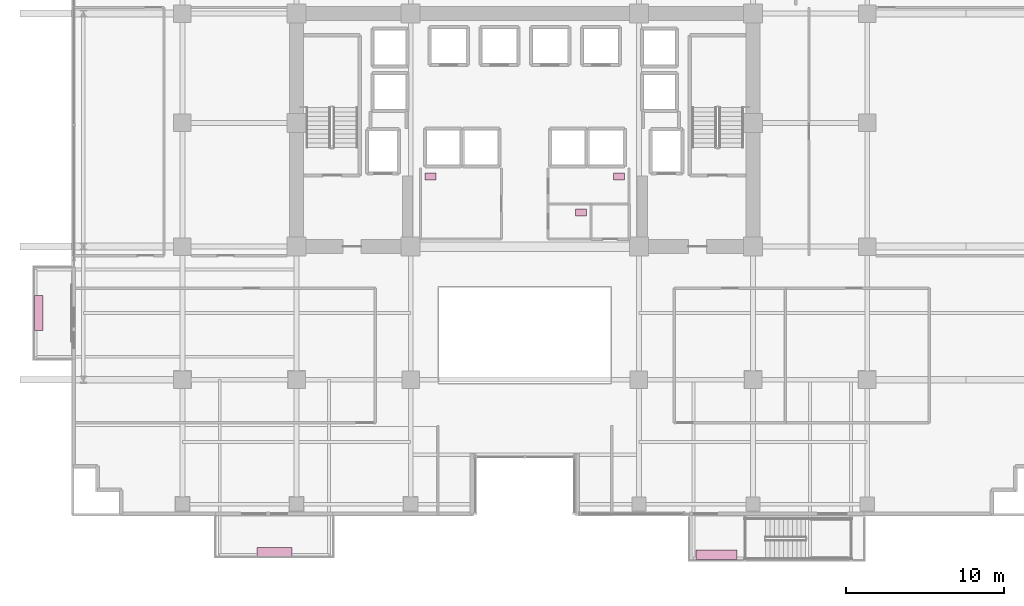
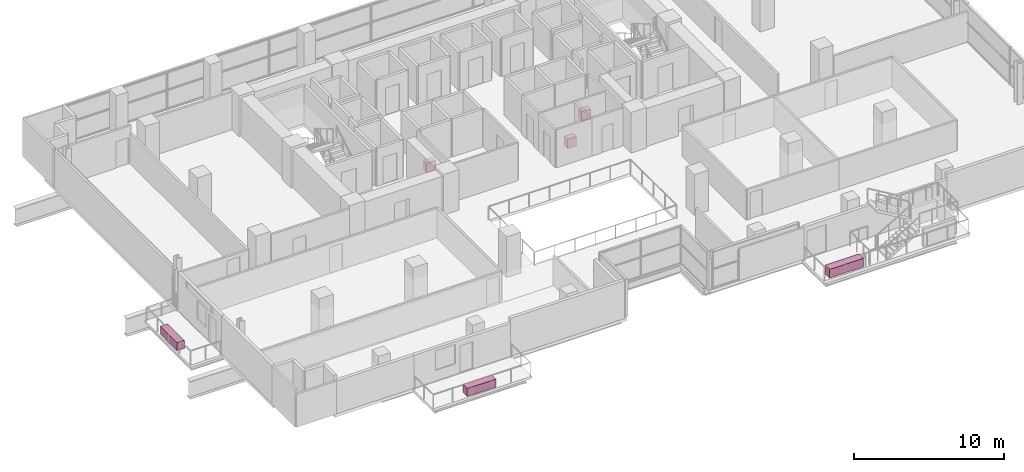
# One storey, part 31 of 31: 6 furnishings.
"""IFC4 building model written with IfcOpenShell, lengths in metres."""

from ifc_helpers import new_model, si_unit, direction, frame, origin, origin_2d, place, context, subcontext, project, spatial, rectangle, extrude, source, transform, mapped, material, type_object, element, save


model = new_model("IFC4")

# Units and contexts
model_context = context("Model", 3, precision=1e-05, world=origin(), true_north=direction((0.0, 1.0)))
body_context = subcontext(model_context, "Body", "Model", "MODEL_VIEW")
ifc_project = project(units=[si_unit("LENGTHUNIT", "METRE"), si_unit("AREAUNIT", "SQUARE_METRE"), si_unit("VOLUMEUNIT", "CUBIC_METRE"), si_unit("PLANEANGLEUNIT", "RADIAN"), si_unit("MASSUNIT", "GRAM", prefix="KILO")], contexts=[model_context])

# Site, building, storey
site_placement = place(None, origin())
site = spatial("IfcSite", under=ifc_project, at=site_placement, CompositionType="ELEMENT")
building_placement = place(site_placement, origin())
building = spatial("IfcBuilding", under=site, at=building_placement, Name="Zarnakvel Exchange Tower", CompositionType="ELEMENT")
storey_placement = place(building_placement, frame((0.0, 0.0, 53.800048828125)))
storey = spatial("IfcBuildingStorey", under=building, at=storey_placement, Name="L14", CompositionType="ELEMENT", Elevation=53.800048828125)

# Furnishings
ifc_material_1 = material(Name="Architectural Bronze Anodised Aluminium", Category="aluminium")
furnishing_element_type_1 = type_object("IfcFurnishingElementType", Name="PLNT-02", material=ifc_material_1)
shared_shape_1 = source(origin(), body_context, "Body", "SweptSolid", [
    extrude(rectangle(XDim=2.60009765625, YDim=0.60009765625, at=origin_2d()), origin(), (0.0, 0.0, 1.0), 0.699951171875),
])
furnishing_placement = place(storey_placement, frame((12.10009765625, -20.639892578125, 0.0), z_axis=(0.0, 0.0, 1.0), x_axis=(1.0, 0.0, 0.0)))
element("IfcFurnishingElement", 1, at=furnishing_placement, inside=storey, type_object=furnishing_element_type_1, Name="L14 Spiral Sky-Terrace Tropical Planter", ObjectType="PLANTER", context=body_context, shape_type="MappedRepresentation", body=[
    mapped(shared_shape_1, transform((0.0, 0.0, 0.0), x_axis=(1.0, 0.0, 0.0), y_axis=(0.0, 1.0, 0.0), z_axis=(0.0, 0.0, 1.0), scale=1.0)),
])
furnishing_element_type_2 = type_object("IfcFurnishingElementType", Name="PLNT-01", material=ifc_material_1)
shared_shape_2 = source(origin(), body_context, "Body", "SweptSolid", [
    extrude(rectangle(XDim=2.199951171875, YDim=0.550048828125, at=origin_2d()), origin(), (0.0, 0.0, 1.0), 0.64990234375),
])
for number, where, z_axis, x_axis, name in (
    (2, (-15.800048828125, -20.469970703125, -0.034912109375), (0.0, 0.0, 1.0), (1.0, 0.0, 0.0), "L14 Balcony Greenery Planter BAL-L14-SW"),
    (3, (-30.669921875, -5.39990234375, -0.034912109375), (0.0, 0.0, 1.0), (0.0, 1.0, 0.0), "L14 Balcony Greenery Planter BAL-L14-W"),
):
    element("IfcFurnishingElement", number, at=place(storey_placement, frame(where, z_axis=z_axis, x_axis=x_axis)), inside=storey, type_object=furnishing_element_type_2, Name=name, ObjectType="PLANTER", context=body_context, shape_type="MappedRepresentation", body=[
        mapped(shared_shape_2, transform((0.0, 0.0, 0.0), x_axis=(1.0, 0.0, 0.0), y_axis=(0.0, 1.0, 0.0), z_axis=(0.0, 0.0, 1.0), scale=1.0)),
    ])
ifc_material_2 = material(Name="Vitreous China Sanitaryware", Category="ceramic")
furnishing_element_type_3 = type_object("IfcFurnishingElementType", Name="SAN-WC", material=ifc_material_2)
shared_shape_3 = source(origin(), body_context, "Body", "SweptSolid", [
    extrude(rectangle(XDim=0.699951171875, YDim=0.449951171875, at=origin_2d()), origin(), (0.0, 0.0, 1.0), 0.780029296875),
])
for number, where, z_axis, x_axis, name in (
    (4, (-5.949951171875, 3.22998046875, 0.0), (0.0, 0.0, 1.0), (1.0, 0.0, 0.0), "L14 Sanitary Fixture (Male Toilet)"),
    (5, (5.949951171875, 3.22998046875, 0.0), (0.0, 0.0, 1.0), (1.0, 0.0, 0.0), "L14 Sanitary Fixture (Female Toilet)"),
    (6, (3.550048828125, 0.949951171875, 0.0), (0.0, 0.0, 1.0), (1.0, 0.0, 0.0), "L14 Sanitary Fixture (Accessible Toilet)"),
):
    element("IfcFurnishingElement", number, at=place(storey_placement, frame(where, z_axis=z_axis, x_axis=x_axis)), inside=storey, type_object=furnishing_element_type_3, Name=name, ObjectType="SANITARY_FIXTURE", context=body_context, shape_type="MappedRepresentation", body=[
        mapped(shared_shape_3, transform((0.0, 0.0, 0.0), x_axis=(1.0, 0.0, 0.0), y_axis=(0.0, 1.0, 0.0), z_axis=(0.0, 0.0, 1.0), scale=1.0)),
    ])

save(model, "model.ifc")
